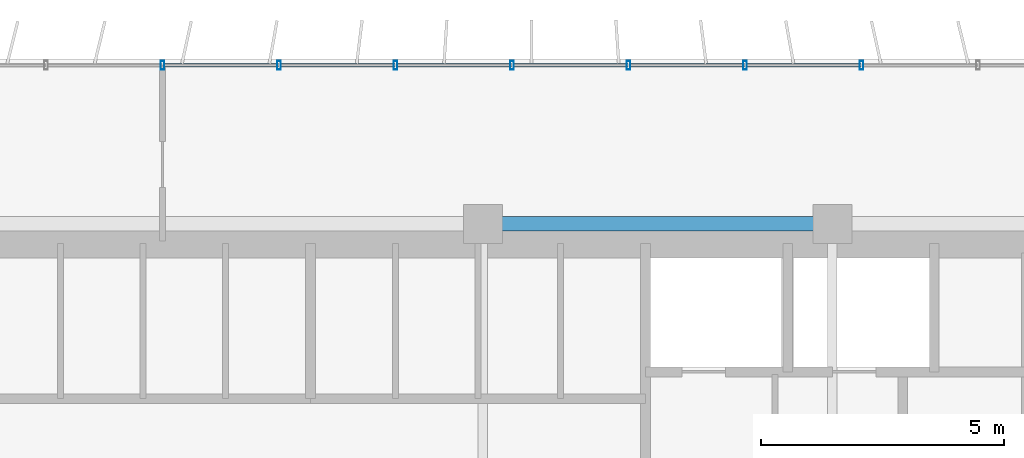
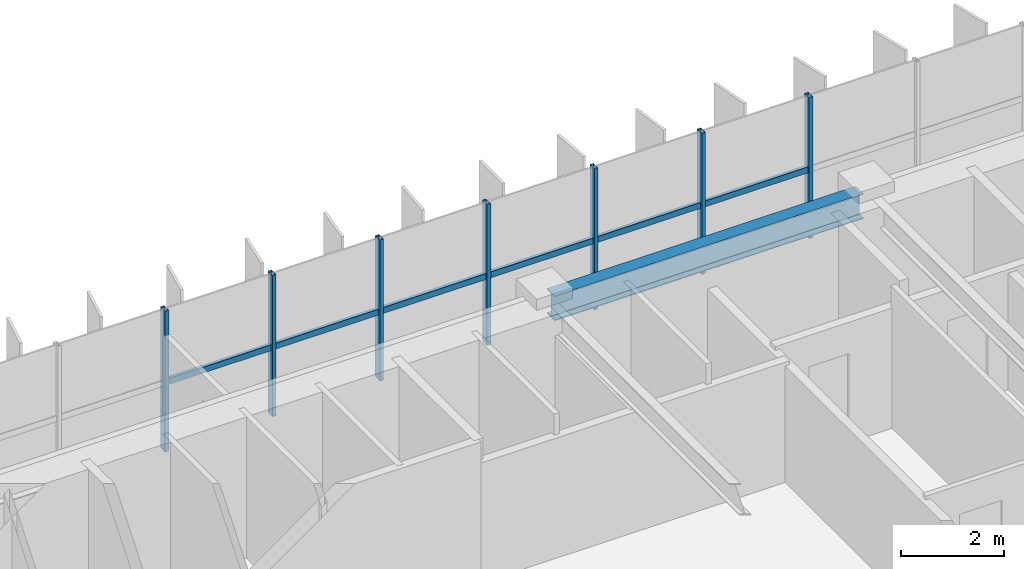
# One storey, part 9 of 21: 13 members, 1 beam, 1 element without a shape of its own.
"""IFC4 building model written with IfcOpenShell, lengths in metres."""

from ifc_helpers import new_model, si_unit, direction, frame, origin, origin_2d, place, context, subcontext, project, spatial, hollow_rectangle, i_section, extrude, source, transform, mapped, material, material_profile, profile_set, type_object, element, aggregate, save


model = new_model("IFC4")

# Units and contexts
model_context = context("Model", 3, precision=1e-05, world=origin(), true_north=direction((0.0, 1.0)))
body_context = subcontext(model_context, "Body", "Model", "MODEL_VIEW")
ifc_project = project(units=[si_unit("LENGTHUNIT", "METRE"), si_unit("AREAUNIT", "SQUARE_METRE"), si_unit("VOLUMEUNIT", "CUBIC_METRE"), si_unit("PLANEANGLEUNIT", "RADIAN"), si_unit("MASSUNIT", "GRAM", prefix="KILO")], contexts=[model_context])

# Site, building, storey
site_placement = place(None, origin())
site = spatial("IfcSite", under=ifc_project, at=site_placement, CompositionType="ELEMENT")
building_placement = place(site_placement, origin())
building = spatial("IfcBuilding", under=site, at=building_placement, Name="Trelvane Seafront Commons", CompositionType="ELEMENT")
storey_placement = place(building_placement, frame((0.0, 0.0, 110.5)))
storey = spatial("IfcBuildingStorey", under=building, at=storey_placement, Name="L28", CompositionType="ELEMENT", Elevation=110.5)

# Beam
ifc_material_1 = material(Name="Steel SM355 (S355)", Category="steel")
ifc_material_profile_1 = material_profile(ifc_material_1, i_section(OverallWidth=0.300048828125, OverallDepth=0.587890625, WebThickness=0.011962890625, FlangeThickness=0.02001953125, at=origin_2d()), Name="H-588x300x12x20")
ifc_profile_set_1 = profile_set([ifc_material_profile_1], Name="Steel SM355 (S355)")
beam_type = type_object("IfcBeamType", Name="STR-BM-H588", PredefinedType="BEAM", material=ifc_profile_set_1)
shared_shape_1 = source(origin(), body_context, "Body", "SweptSolid", [
    extrude(i_section(OverallWidth=0.300048828125, OverallDepth=0.587890625, WebThickness=0.011962890625, FlangeThickness=0.02001953125, at=origin_2d()), origin(), (0.0, 0.0, 1.0), 6.900146484375),
])
beam_placement = place(storey_placement, frame((43.949951171875, 45.10009765625, 3.0458984375), z_axis=(1.0, 0.0, 0.0), x_axis=(0.0, 1.0, 0.0)))
element("IfcBeam", 1, at=beam_placement, inside=storey, type_object=beam_type, Name="L28 Primary Girder G-33", PredefinedType="BEAM", context=body_context, shape_type="MappedRepresentation", body=[
    mapped(shared_shape_1, transform((0.0, 0.0, 0.0), x_axis=(1.0, 0.0, 0.0), y_axis=(0.0, 1.0, 0.0), z_axis=(0.0, 0.0, 1.0), scale=1.0)),
])

# Curtain wall, members
ifc_material_2 = material(Name="Anodised pale-silver aluminium", Category="aluminium")
curtain_wall_type = type_object("IfcCurtainWallType", Name="ARCH-CW4-SKYLOBBY", PredefinedType="NOTDEFINED", material=ifc_material_2)
curtain_wall_placement = place(storey_placement, origin())
curtain_wall = element("IfcCurtainWall", 2, at=curtain_wall_placement, inside=storey, type_object=curtain_wall_type, Name="CW-L28-0053", PredefinedType="NOTDEFINED")
ifc_material_profile_2 = material_profile(ifc_material_2, hollow_rectangle(XDim=0.074951171875, YDim=0.139892578125, WallThickness=0.00390625, at=origin_2d()), Name="TRAN-75x140x4")
ifc_profile_set_2 = profile_set([ifc_material_profile_2], Name="Anodised pale-silver aluminium")
member_type_1 = type_object("IfcMemberType", Name="ARCH-CW-TRAN-140", PredefinedType="USERDEFINED", material=ifc_profile_set_2)
shared_shape_2 = source(origin(), body_context, "Body", "SweptSolid", [
    extrude(hollow_rectangle(XDim=0.074951171875, YDim=0.139892578125, WallThickness=0.00390625, at=origin_2d()), origin(), (0.0, 0.0, 1.0), 2.3759765625),
])
member_1_placement = place(storey_placement, frame((37.2119140625, 48.3701171875, 1.60302734375), z_axis=(1.0, 0.0, 0.0), x_axis=(0.0, 1.0, 0.0)))
member_1 = element("IfcMember", 3, at=member_1_placement, type_object=member_type_1, Name="CW-L28-0053-T09", ObjectType="TRANSOM", PredefinedType="USERDEFINED", context=body_context, shape_type="MappedRepresentation", body=[
    mapped(shared_shape_2, transform((0.0, 0.0, 0.0), x_axis=(1.0, 0.0, 0.0), y_axis=(0.0, 1.0, 0.0), z_axis=(0.0, 0.0, 1.0), scale=1.0)),
])
member_2_placement = place(storey_placement, frame((39.612060546875, 48.3701171875, 1.60302734375), z_axis=(1.0, 0.0, 0.0), x_axis=(0.0, 1.0, 0.0)))
member_2 = element("IfcMember", 4, at=member_2_placement, type_object=member_type_1, Name="CW-L28-0053-T10", ObjectType="TRANSOM", PredefinedType="USERDEFINED", context=body_context, shape_type="MappedRepresentation", body=[
    mapped(shared_shape_2, transform((0.0, 0.0, 0.0), x_axis=(1.0, 0.0, 0.0), y_axis=(0.0, 1.0, 0.0), z_axis=(0.0, 0.0, 1.0), scale=1.0)),
])
member_3_placement = place(storey_placement, frame((42.011962890625, 48.3701171875, 1.60302734375), z_axis=(1.0, 0.0, 0.0), x_axis=(0.0, 1.0, 0.0)))
member_3 = element("IfcMember", 5, at=member_3_placement, type_object=member_type_1, Name="CW-L28-0053-T11", ObjectType="TRANSOM", PredefinedType="USERDEFINED", context=body_context, shape_type="MappedRepresentation", body=[
    mapped(shared_shape_2, transform((0.0, 0.0, 0.0), x_axis=(1.0, 0.0, 0.0), y_axis=(0.0, 1.0, 0.0), z_axis=(0.0, 0.0, 1.0), scale=1.0)),
])
member_4_placement = place(storey_placement, frame((44.412109375, 48.3701171875, 1.60302734375), z_axis=(1.0, 0.0, 0.0), x_axis=(0.0, 1.0, 0.0)))
member_4 = element("IfcMember", 6, at=member_4_placement, type_object=member_type_1, Name="CW-L28-0053-T12", ObjectType="TRANSOM", PredefinedType="USERDEFINED", context=body_context, shape_type="MappedRepresentation", body=[
    mapped(shared_shape_2, transform((0.0, 0.0, 0.0), x_axis=(1.0, 0.0, 0.0), y_axis=(0.0, 1.0, 0.0), z_axis=(0.0, 0.0, 1.0), scale=1.0)),
])
member_5_placement = place(storey_placement, frame((46.81201171875, 48.3701171875, 1.60302734375), z_axis=(1.0, 0.0, 0.0), x_axis=(0.0, 1.0, 0.0)))
member_5 = element("IfcMember", 7, at=member_5_placement, type_object=member_type_1, Name="CW-L28-0053-T13", ObjectType="TRANSOM", PredefinedType="USERDEFINED", context=body_context, shape_type="MappedRepresentation", body=[
    mapped(shared_shape_2, transform((0.0, 0.0, 0.0), x_axis=(1.0, 0.0, 0.0), y_axis=(0.0, 1.0, 0.0), z_axis=(0.0, 0.0, 1.0), scale=1.0)),
])
member_6_placement = place(storey_placement, frame((49.2119140625, 48.3701171875, 1.60302734375), z_axis=(1.0, 0.0, 0.0), x_axis=(0.0, 1.0, 0.0)))
member_6 = element("IfcMember", 8, at=member_6_placement, type_object=member_type_1, Name="CW-L28-0053-T14", ObjectType="TRANSOM", PredefinedType="USERDEFINED", context=body_context, shape_type="MappedRepresentation", body=[
    mapped(shared_shape_2, transform((0.0, 0.0, 0.0), x_axis=(1.0, 0.0, 0.0), y_axis=(0.0, 1.0, 0.0), z_axis=(0.0, 0.0, 1.0), scale=1.0)),
])
ifc_material_profile_3 = material_profile(ifc_material_2, hollow_rectangle(XDim=0.080078125, YDim=0.179931640625, WallThickness=0.00439453125, at=origin_2d()), Name="MULL-80x180x4.5")
ifc_profile_set_3 = profile_set([ifc_material_profile_3], Name="Anodised pale-silver aluminium")
member_type_2 = type_object("IfcMemberType", Name="ARCH-CW-MULL-180", PredefinedType="MULLION", material=ifc_profile_set_3)
shared_shape_3 = source(origin(), body_context, "Body", "SweptSolid", [
    extrude(hollow_rectangle(XDim=0.080078125, YDim=0.179931640625, WallThickness=0.00439453125, at=origin_2d()), origin(), (0.0, 0.0, 1.0), 3.340087890625),
])
member_7_placement = place(storey_placement, frame((37.199951171875, 48.3701171875, 0.0), z_axis=(0.0, 0.0, 1.0), x_axis=(1.0, 0.0, 0.0)))
member_7 = element("IfcMember", 9, at=member_7_placement, type_object=member_type_2, Name="CW-L28-0053-M09", PredefinedType="MULLION", context=body_context, shape_type="MappedRepresentation", body=[
    mapped(shared_shape_3, transform((0.0, 0.0, 0.0), x_axis=(1.0, 0.0, 0.0), y_axis=(0.0, 1.0, 0.0), z_axis=(0.0, 0.0, 1.0), scale=1.0)),
])
member_8_placement = place(storey_placement, frame((39.60009765625, 48.3701171875, 0.0), z_axis=(0.0, 0.0, 1.0), x_axis=(1.0, 0.0, 0.0)))
member_8 = element("IfcMember", 10, at=member_8_placement, type_object=member_type_2, Name="CW-L28-0053-M10", PredefinedType="MULLION", context=body_context, shape_type="MappedRepresentation", body=[
    mapped(shared_shape_3, transform((0.0, 0.0, 0.0), x_axis=(1.0, 0.0, 0.0), y_axis=(0.0, 1.0, 0.0), z_axis=(0.0, 0.0, 1.0), scale=1.0)),
])
member_9_placement = place(storey_placement, frame((42.0, 48.3701171875, 0.0), z_axis=(0.0, 0.0, 1.0), x_axis=(1.0, 0.0, 0.0)))
member_9 = element("IfcMember", 11, at=member_9_placement, type_object=member_type_2, Name="CW-L28-0053-M11", PredefinedType="MULLION", context=body_context, shape_type="MappedRepresentation", body=[
    mapped(shared_shape_3, transform((0.0, 0.0, 0.0), x_axis=(1.0, 0.0, 0.0), y_axis=(0.0, 1.0, 0.0), z_axis=(0.0, 0.0, 1.0), scale=1.0)),
])
member_10_placement = place(storey_placement, frame((44.39990234375, 48.3701171875, 0.0), z_axis=(0.0, 0.0, 1.0), x_axis=(1.0, 0.0, 0.0)))
member_10 = element("IfcMember", 12, at=member_10_placement, type_object=member_type_2, Name="CW-L28-0053-M12", PredefinedType="MULLION", context=body_context, shape_type="MappedRepresentation", body=[
    mapped(shared_shape_3, transform((0.0, 0.0, 0.0), x_axis=(1.0, 0.0, 0.0), y_axis=(0.0, 1.0, 0.0), z_axis=(0.0, 0.0, 1.0), scale=1.0)),
])
member_11_placement = place(storey_placement, frame((46.800048828125, 48.3701171875, 0.0), z_axis=(0.0, 0.0, 1.0), x_axis=(1.0, 0.0, 0.0)))
member_11 = element("IfcMember", 13, at=member_11_placement, type_object=member_type_2, Name="CW-L28-0053-M13", PredefinedType="MULLION", context=body_context, shape_type="MappedRepresentation", body=[
    mapped(shared_shape_3, transform((0.0, 0.0, 0.0), x_axis=(1.0, 0.0, 0.0), y_axis=(0.0, 1.0, 0.0), z_axis=(0.0, 0.0, 1.0), scale=1.0)),
])
member_12_placement = place(storey_placement, frame((49.199951171875, 48.3701171875, 0.0), z_axis=(0.0, 0.0, 1.0), x_axis=(1.0, 0.0, 0.0)))
member_12 = element("IfcMember", 14, at=member_12_placement, type_object=member_type_2, Name="CW-L28-0053-M14", PredefinedType="MULLION", context=body_context, shape_type="MappedRepresentation", body=[
    mapped(shared_shape_3, transform((0.0, 0.0, 0.0), x_axis=(1.0, 0.0, 0.0), y_axis=(0.0, 1.0, 0.0), z_axis=(0.0, 0.0, 1.0), scale=1.0)),
])
member_13_placement = place(storey_placement, frame((51.60009765625, 48.3701171875, 0.0), z_axis=(0.0, 0.0, 1.0), x_axis=(1.0, 0.0, 0.0)))
member_13 = element("IfcMember", 15, at=member_13_placement, type_object=member_type_2, Name="CW-L28-0053-M15", PredefinedType="MULLION", context=body_context, shape_type="MappedRepresentation", body=[
    mapped(shared_shape_3, transform((0.0, 0.0, 0.0), x_axis=(1.0, 0.0, 0.0), y_axis=(0.0, 1.0, 0.0), z_axis=(0.0, 0.0, 1.0), scale=1.0)),
])
aggregate(curtain_wall, [member_7, member_8, member_9, member_10, member_11, member_12, member_13, member_1, member_2, member_3, member_4, member_5, member_6])

save(model, "model.ifc")
